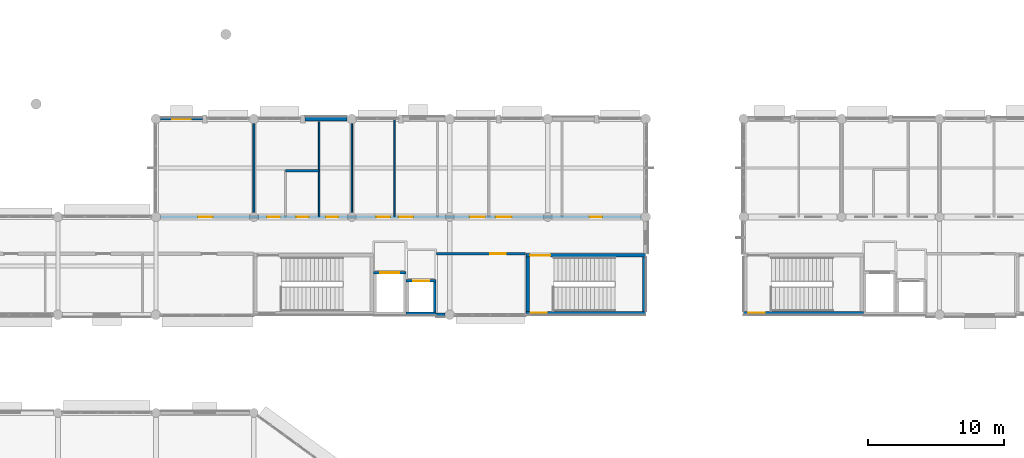
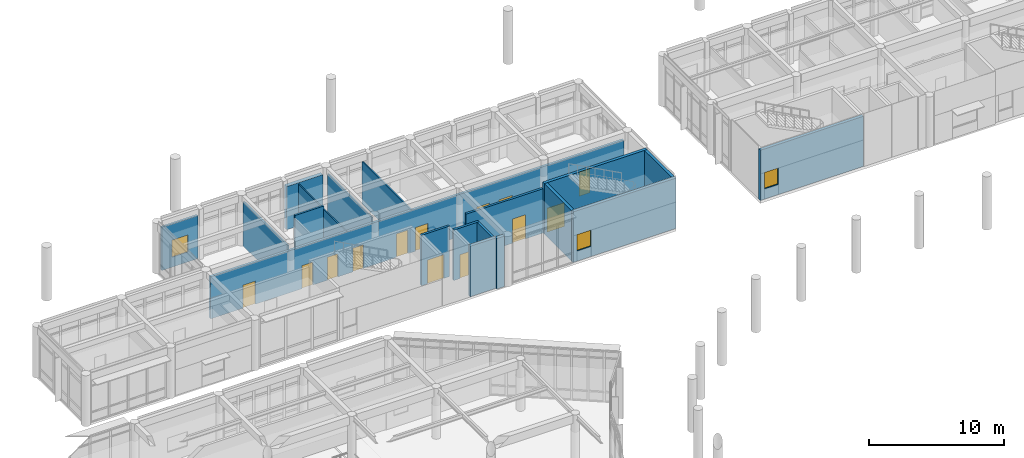
# One storey, part 50 of 92: 19 walls, 13 doors, 3 windows, 16 openings.
"""IFC4 building model written with IfcOpenShell, lengths in metres."""

import ifcopenshell
import ifcopenshell.guid

model = None  # the IFC model being written
_history = None  # IfcOwnerHistory: only IFC2X3 demands one
_inside = {}  # id of a spatial element -> (the spatial element, [elements in it])
_under = {}  # id of a project, library or spatial element -> (it, [spatial elements below it])
_declared = {}  # id of a project -> (the project, [libraries it declares])
_typed = {}  # id of a type object -> (the type object, [elements of that type])
_made_of = {}  # id of a material, layer set ... -> (it, [elements and type objects made of it])


def new_model(schema):
    """Start an empty IFC model of exactly this schema.

    Asked for "IFC4X3", IfcOpenShell would pick the latest addendum, in which some entities
    have other attributes; the version numbers below select the first issue.
    IFC2X3 requires an IfcOwnerHistory on every rooted entity: one is made here for all.
    """
    global model, _history
    if schema == "IFC4X3":
        model = ifcopenshell.file(schema_version=(4, 3, 0, 0))
    else:
        model = ifcopenshell.file(schema=schema)
    _inside.clear()
    _under.clear()
    _declared.clear()
    _typed.clear()
    _made_of.clear()
    _history = None
    if model.schema == "IFC2X3":
        org = make("IfcOrganization", Name="unknown")
        user = make(
            "IfcPersonAndOrganization",
            ThePerson=make("IfcPerson", FamilyName="unknown"),
            TheOrganization=org,
        )
        app = make(
            "IfcApplication",
            ApplicationDeveloper=org,
            Version="unknown",
            ApplicationFullName="unknown",
            ApplicationIdentifier="unknown",
        )
        _history = make(
            "IfcOwnerHistory",
            OwningUser=user,
            OwningApplication=app,
            ChangeAction="ADDED",
            CreationDate=0,
        )
    return model


def make(cls, **values):
    """One entity of the class cls with the attributes given. An attribute that is None is left unset."""
    return model.create_entity(
        cls, **{name: value for name, value in values.items() if value is not None}
    )


def rooted(cls, **values):
    """An entity with a GlobalId (a new one), such as an element, a storey or a relation."""
    return make(cls, GlobalId=ifcopenshell.guid.new(), OwnerHistory=_history, **values)


def si_unit(unit_type, name, prefix=None):
    """IfcSIUnit, for example si_unit("LENGTHUNIT", "METRE", prefix="MILLI")."""
    return make("IfcSIUnit", UnitType=unit_type, Prefix=prefix, Name=name)


def assignment(units):
    """IfcUnitAssignment: the units of a project."""
    return None if units is None else make("IfcUnitAssignment", Units=units)


def point(xyz):
    """IfcCartesianPoint."""
    return None if xyz is None else make("IfcCartesianPoint", Coordinates=xyz)


def direction(xyz):
    """IfcDirection."""
    return None if xyz is None else make("IfcDirection", DirectionRatios=xyz)


def frame(location, z_axis=None, x_axis=None):
    """IfcAxis2Placement3D, a coordinate frame: its origin and axes. An axis left out is left unset."""
    return make(
        "IfcAxis2Placement3D",
        Location=point(location),
        Axis=direction(z_axis),
        RefDirection=direction(x_axis),
    )


def frame_2d(location, x_axis=None):
    """IfcAxis2Placement2D, a coordinate frame in the plane: its origin and x axis."""
    return make(
        "IfcAxis2Placement2D", Location=point(location), RefDirection=direction(x_axis)
    )


def origin():
    """The frame at (0, 0, 0) with its axes left unset."""
    return frame((0.0, 0.0, 0.0))


def place(relative_to, where):
    """IfcLocalPlacement: puts the frame where relative to a parent placement (None: the world)."""
    return make(
        "IfcLocalPlacement", PlacementRelTo=relative_to, RelativePlacement=where
    )


def context(
    kind, dimensions, precision=None, world=None, true_north=None, identifier=None
):
    """IfcGeometricRepresentationContext, for example the 3D "Model" context."""
    return make(
        "IfcGeometricRepresentationContext",
        ContextIdentifier=identifier,
        ContextType=kind,
        CoordinateSpaceDimension=dimensions,
        Precision=precision,
        WorldCoordinateSystem=world,
        TrueNorth=true_north,
    )


def subcontext(parent, identifier, kind, view, scale=None):
    """IfcGeometricRepresentationSubContext, for example "Body" below "Model"."""
    return make(
        "IfcGeometricRepresentationSubContext",
        ContextIdentifier=identifier,
        ContextType=kind,
        ParentContext=parent,
        TargetScale=scale,
        TargetView=view,
    )


def project(units=None, contexts=None):
    """IfcProject with its units and contexts."""
    return rooted(
        "IfcProject",
        Name="project",
        RepresentationContexts=contexts,
        UnitsInContext=assignment(units),
    )


def spatial(cls, under=None, at=None, **own):
    """A site, building, storey or space (cls), placed at a placement, below another one or the project."""
    s = rooted(cls, ObjectPlacement=at, **own)
    if under is not None:
        _under.setdefault(under.id(), (under, []))[1].append(s)
    return s


def profile(cls, at=None, kind="AREA", **sizes):
    """A parametric profile (cls). Its sizes go by their IFC names, for example OverallWidth=200.0."""
    return make(cls, ProfileType=kind, Position=at, **sizes)


def rectangle(**sizes):
    """IfcRectangleProfileDef."""
    return profile("IfcRectangleProfileDef", **sizes)


def extrude(swept, where, along, depth):
    """IfcExtrudedAreaSolid: the profile swept, set in the frame where, extruded along a direction by depth."""
    return make(
        "IfcExtrudedAreaSolid",
        SweptArea=swept,
        Position=where,
        ExtrudedDirection=direction(along),
        Depth=depth,
    )


def shape(context_of_items, identifier, shape_type, items):
    """IfcShapeRepresentation: the items that make up one representation, for example the "Body"."""
    return make(
        "IfcShapeRepresentation",
        ContextOfItems=context_of_items,
        RepresentationIdentifier=identifier,
        RepresentationType=shape_type,
        Items=items,
    )


def material(Name=None, Category=None):
    """IfcMaterial."""
    return make("IfcMaterial", Name=Name, Category=Category)


def layer(
    of_material, thickness, ventilated=None, Name=None, Category=None, Priority=None
):
    """IfcMaterialLayer: one layer of a wall or slab, of a material (None: an air gap)."""
    return make(
        "IfcMaterialLayer",
        Material=of_material,
        LayerThickness=thickness,
        IsVentilated=ventilated,
        Name=Name,
        Category=Category,
        Priority=Priority,
    )


def layer_set(layers, Name=None):
    """IfcMaterialLayerSet."""
    return make("IfcMaterialLayerSet", MaterialLayers=layers, LayerSetName=Name)


def made_of(thing, what):
    """Note that an element or type object is made of a material, layer set ...; save() writes the relation."""
    if what is not None:
        _made_of.setdefault(what.id(), (what, []))[1].append(thing)
    return thing


def type_object(cls, material=None, **own):
    """A type object (cls), such as IfcWallType, which elements share."""
    return made_of(rooted(cls, **own), material)


def element(
    cls,
    number,
    at=None,
    inside=None,
    cuts=None,
    type_object=None,
    material=None,
    context=None,
    identifier="Body",
    shape_type=None,
    held_by="IfcProductDefinitionShape",
    body=None,
    shapes=None,
    **own,
):
    """One element of the class cls, such as IfcWall. Its Tag is "e" and its number.

    at: its placement. inside: the storey or other place that contains it. cuts: it is an
    opening in that element (IfcRelVoidsElement). A single representation is given by context,
    identifier, shape_type and body (its items); several are given by shapes. held_by: the class
    of the entity that holds the representations. save() writes the other relations.
    """
    e = rooted(cls, Tag="e%d" % number, ObjectPlacement=at, **own)
    if body is not None:
        shapes = [shape(context, identifier, shape_type, body)]
    if shapes is not None:
        e.Representation = make(held_by, Representations=shapes)
    if inside is not None:
        _inside.setdefault(inside.id(), (inside, []))[1].append(e)
    if cuts is not None:
        rooted(
            "IfcRelVoidsElement", RelatingBuildingElement=cuts, RelatedOpeningElement=e
        )
    if type_object is not None:
        _typed.setdefault(type_object.id(), (type_object, []))[1].append(e)
    return made_of(e, material)


def fill(opening, filler):
    """IfcRelFillsElement: the door or window that sits in an opening."""
    return rooted(
        "IfcRelFillsElement",
        RelatingOpeningElement=opening,
        RelatedBuildingElement=filler,
    )


def aggregate(whole, parts):
    """IfcRelAggregates: a whole, such as a stair, and the parts it consists of."""
    return rooted("IfcRelAggregates", RelatingObject=whole, RelatedObjects=parts)


def save(model, path):
    """Write the relations noted so far, then the file.

    IfcRelAggregates (storeys below a building ...), IfcRelContainedInSpatialStructure (elements
    in a storey), IfcRelDefinesByType, IfcRelAssociatesMaterial and IfcRelDeclares: one each for
    every whole, place, type object, material and project.
    """
    for whole, parts in _under.values():
        aggregate(whole, parts)
    for where, things in _inside.values():
        rooted(
            "IfcRelContainedInSpatialStructure",
            RelatedElements=things,
            RelatingStructure=where,
        )
    for kind, things in _typed.values():
        rooted("IfcRelDefinesByType", RelatedObjects=things, RelatingType=kind)
    for what, things in _made_of.values():
        rooted("IfcRelAssociatesMaterial", RelatedObjects=things, RelatingMaterial=what)
    for by, libraries in _declared.values():
        rooted("IfcRelDeclares", RelatingContext=by, RelatedDefinitions=libraries)
    model.write(path)


model = new_model("IFC4")

# Units and contexts
model_context = context("Model", 3, precision=1e-05, world=origin(), true_north=direction((0.0, 1.0)))
body_context = subcontext(model_context, "Body", "Model", "MODEL_VIEW")
ifc_project = project(units=[si_unit("LENGTHUNIT", "METRE"), si_unit("AREAUNIT", "SQUARE_METRE"), si_unit("VOLUMEUNIT", "CUBIC_METRE"), si_unit("PLANEANGLEUNIT", "RADIAN"), si_unit("MASSUNIT", "GRAM", prefix="KILO")], contexts=[model_context])

# Site, building, storey
site_placement = place(None, origin())
site = spatial("IfcSite", under=ifc_project, at=site_placement, CompositionType="ELEMENT")
building_placement = place(site_placement, origin())
building = spatial("IfcBuilding", under=site, at=building_placement, Name="Namkhue Oval Health Centre", CompositionType="ELEMENT")
storey_placement = place(building_placement, frame((0.0, 0.0, 4.800048828125)))
storey = spatial("IfcBuildingStorey", under=building, at=storey_placement, Name="L01", CompositionType="ELEMENT", Elevation=4.800048828125)

# Wall, opening, window
ifc_material_1 = material(Name="Autoclaved aerated concrete blockwork M7.5", Category="masonry")
ifc_layer_1 = layer(ifc_material_1, 0.179931640625)
ifc_layer_set_1 = layer_set([ifc_layer_1], Name="Autoclaved aerated concrete blockwork M7.5")
wall_type_1 = type_object("IfcWallType", Name="EXTERIOR ENVELOPE WALL 180", PredefinedType="STANDARD", material=ifc_layer_set_1)
wall_1_placement = place(storey_placement, frame((53.8291015625, 104.39990234375, 0.0), z_axis=(0.0, 0.0, 1.0), x_axis=(-1.0, 0.0, 0.0)))
wall_1 = element("IfcWall", 1, at=wall_1_placement, inside=storey, type_object=wall_type_1, Name="Volume V2 L01 Exterior Envelope Wall 33", PredefinedType="STANDARD", context=body_context, shape_type="SweptSolid", body=[
    extrude(rectangle(XDim=3.083984375, YDim=0.179931640625, at=frame_2d((1.5419921875, 0.0))), origin(), (0.0, 0.0, 1.0), 3.905029296875),
])
opening_1_placement = place(wall_1_placement, frame((0.866943359375, 0.0, 0.89990234375)))
opening_1 = element("IfcOpeningElement", 2, at=opening_1_placement, cuts=wall_1, Name="Opening WN-23", PredefinedType="OPENING", context=body_context, shape_type="SweptSolid", body=[
    extrude(rectangle(XDim=1.35009765625, YDim=1.5400390625, at=frame_2d((0.675048828125, 0.77001953125))), frame((0.0, 0.099853515625, 0.0), z_axis=(0.0, -1.0, 0.0), x_axis=(1.0, 0.0, 0.0)), (0.0, 0.0, 1.0), 0.199951171875),
])
ifc_material_2 = material(Name="Thermally broken low-E laminated double glazing", Category="glass")
window_type_1 = type_object("IfcWindowType", Name="EXTERIOR WINDOW 1350X1540", PartitioningType="SINGLE_PANEL", PredefinedType="WINDOW", material=ifc_material_2)
window_1_placement = place(opening_1_placement, origin())
window_1 = element("IfcWindow", 3, at=window_1_placement, inside=storey, type_object=window_type_1, Name="Volume V2 L01 Exterior Window 23", OverallHeight=1.5400390625, OverallWidth=1.35009765625, PartitioningType="SINGLE_PANEL", PredefinedType="WINDOW", context=body_context, shape_type="SweptSolid", body=[
    extrude(rectangle(XDim=1.35009765625, YDim=1.5400390625, at=frame_2d((0.675048828125, 0.77001953125))), frame((0.0, 0.030029296875, 0.0), z_axis=(0.0, -1.0, 0.0), x_axis=(1.0, 0.0, 0.0)), (0.0, 0.0, 1.0), 0.06005859375),
])
fill(opening_1, window_1)

# Walls
ifc_layer_2 = layer(ifc_material_1, 0.2900390625)
ifc_layer_set_2 = layer_set([ifc_layer_2], Name="Autoclaved aerated concrete blockwork M7.5")
wall_type_2 = type_object("IfcWallType", Name="EXTERIOR ENVELOPE WALL 290", PredefinedType="STANDARD", material=ifc_layer_set_2)
wall_2_placement = place(storey_placement, frame((71.001953125, 90.0, 0.0), z_axis=(0.0, 0.0, 1.0), x_axis=(1.0, 0.0, 0.0)))
element("IfcWall", 4, at=wall_2_placement, inside=storey, type_object=wall_type_2, Name="Volume V2 L01 Exterior Envelope Wall 28", PredefinedType="STANDARD", context=body_context, shape_type="SweptSolid", body=[
    extrude(rectangle(XDim=0.653076171875, YDim=0.2900390625, at=frame_2d((0.32666015625, 0.0))), origin(), (0.0, 0.0, 1.0), 4.554931640625),
])
ifc_layer_3 = layer(ifc_material_1, 0.330078125)
ifc_layer_set_3 = layer_set([ifc_layer_3], Name="Autoclaved aerated concrete blockwork M7.5")
wall_type_3 = type_object("IfcWallType", Name="EXTERIOR ENVELOPE WALL 330", PredefinedType="STANDARD", material=ifc_layer_set_3)
wall_3_placement = place(storey_placement, frame((64.455078125, 104.39990234375, 0.0), z_axis=(0.0, 0.0, 1.0), x_axis=(-1.0, 0.0, 0.0)))
element("IfcWall", 5, at=wall_3_placement, inside=storey, type_object=wall_type_3, Name="Volume V2 L01 Exterior Envelope Wall 32", PredefinedType="STANDARD", context=body_context, shape_type="SweptSolid", body=[
    extrude(rectangle(XDim=3.083984375, YDim=0.330078125, at=frame_2d((1.5419921875, 0.0))), origin(), (0.0, 0.0, 1.0), 3.905029296875),
])

# Wall, opening, door
ifc_material_3 = material(Name="Gypsum plasterboard acoustic partition", Category="gypsum")
ifc_layer_4 = layer(ifc_material_3, 0.195068359375)
ifc_layer_set_4 = layer_set([ifc_layer_4], Name="Gypsum plasterboard acoustic partition")
wall_type_4 = type_object("IfcWallType", Name="FIRE PARTITION WALL 195", PredefinedType="PARTITIONING", material=ifc_layer_set_4)
wall_4_placement = place(storey_placement, frame((71.02001953125, 94.5, 0.0), z_axis=(0.0, 0.0, 1.0), x_axis=(1.0, 0.0, 0.0)))
wall_4 = element("IfcWall", 6, at=wall_4_placement, inside=storey, type_object=wall_type_4, Name="Volume V2 L01 Clinical Partition Wall 59", PredefinedType="PARTITIONING", context=body_context, shape_type="SweptSolid", body=[
    extrude(rectangle(XDim=6.56005859375, YDim=0.195068359375, at=frame_2d((3.280029296875, 0.0))), origin(), (0.0, 0.0, 1.0), 4.0048828125),
])
opening_2_placement = place(wall_4_placement, frame((3.955078125, 0.0, 0.0)))
opening_2 = element("IfcOpeningElement", 7, at=opening_2_placement, cuts=wall_4, Name="Opening CD-17", PredefinedType="OPENING", context=body_context, shape_type="SweptSolid", body=[
    extrude(rectangle(XDim=1.1298828125, YDim=2.179931640625, at=frame_2d((0.56494140625, 1.08984375))), frame((0.0, 0.107421875, 0.0), z_axis=(0.0, -1.0, 0.0), x_axis=(1.0, 0.0, 0.0)), (0.0, 0.0, 1.0), 0.215087890625),
])
ifc_material_4 = material(Name="High-pressure laminate timber clinical door", Category="wood")
door_type_1 = type_object("IfcDoorType", Name="CLINICAL DOOR 1130X2180", OperationType="NOTDEFINED", PredefinedType="DOOR", material=ifc_material_4)
door_1_placement = place(opening_2_placement, frame((1.1298828125, 0.0, 0.0), z_axis=(0.0, 0.0, 1.0), x_axis=(-1.0, 0.0, 0.0)))
door_1 = element("IfcDoor", 8, at=door_1_placement, inside=storey, type_object=door_type_1, Name="Volume V2 L01 Adolescent Medicine Clinic Door 45", OperationType="SINGLE_SWING_LEFT", OverallHeight=2.179931640625, OverallWidth=1.1298828125, PredefinedType="DOOR", context=body_context, shape_type="SweptSolid", body=[
    extrude(rectangle(XDim=1.1298828125, YDim=2.179931640625, at=frame_2d((0.56494140625, 1.08984375))), frame((0.0, 0.02490234375, 0.0), z_axis=(0.0, -1.0, 0.0), x_axis=(1.0, 0.0, 0.0)), (0.0, 0.0, 1.0), 0.050048828125),
])
fill(opening_2, door_1)

# Wall, openings, doors
ifc_layer_5 = layer(ifc_material_3, 0.205078125)
ifc_layer_set_5 = layer_set([ifc_layer_5], Name="Gypsum plasterboard acoustic partition")
wall_type_5 = type_object("IfcWallType", Name="FIRE PARTITION WALL 205", PredefinedType="PARTITIONING", material=ifc_layer_set_5)
wall_5_placement = place(storey_placement, frame((50.75, 97.199951171875, 0.0), z_axis=(0.0, 0.0, 1.0), x_axis=(1.0, 0.0, 0.0)))
wall_5 = element("IfcWall", 9, at=wall_5_placement, inside=storey, type_object=wall_type_5, Name="Volume V2 L01 Clinical Partition Wall 46", PredefinedType="PARTITIONING", context=body_context, shape_type="SweptSolid", body=[
    extrude(rectangle(XDim=35.300048828125, YDim=0.205078125, at=frame_2d((17.64990234375, 0.0))), origin(), (0.0, 0.0, 1.0), 3.804931640625),
])
opening_3_placement = place(wall_5_placement, frame((2.762939453125, 0.0, 0.0)))
opening_3 = element("IfcOpeningElement", 10, at=opening_3_placement, cuts=wall_5, Name="Opening CD-05", PredefinedType="OPENING", context=body_context, shape_type="SweptSolid", body=[
    extrude(rectangle(XDim=1.06005859375, YDim=2.080078125, at=frame_2d((0.530029296875, 1.0400390625))), frame((0.0, 0.112548828125, 0.0), z_axis=(0.0, -1.0, 0.0), x_axis=(1.0, 0.0, 0.0)), (0.0, 0.0, 1.0), 0.22509765625),
])
opening_4_placement = place(wall_5_placement, frame((7.820068359375, 0.0, 0.0)))
opening_4 = element("IfcOpeningElement", 11, at=opening_4_placement, cuts=wall_5, Name="Opening CD-02", PredefinedType="OPENING", context=body_context, shape_type="SweptSolid", body=[
    extrude(rectangle(XDim=0.93994140625, YDim=2.080078125, at=frame_2d((0.469970703125, 1.0400390625))), frame((0.0, 0.112548828125, 0.0), z_axis=(0.0, -1.0, 0.0), x_axis=(1.0, 0.0, 0.0)), (0.0, 0.0, 1.0), 0.22509765625),
])
opening_5_placement = place(wall_5_placement, frame((9.969970703125, 0.0, 0.0)))
opening_5 = element("IfcOpeningElement", 12, at=opening_5_placement, cuts=wall_5, Name="Opening CD-01", PredefinedType="OPENING", context=body_context, shape_type="SweptSolid", body=[
    extrude(rectangle(XDim=0.89990234375, YDim=2.080078125, at=frame_2d((0.449951171875, 1.0400390625))), frame((0.0, 0.112548828125, 0.0), z_axis=(0.0, -1.0, 0.0), x_axis=(1.0, 0.0, 0.0)), (0.0, 0.0, 1.0), 0.22509765625),
])
opening_6_placement = place(wall_5_placement, frame((12.159912109375, 0.0, 0.0)))
opening_6 = element("IfcOpeningElement", 13, at=opening_6_placement, cuts=wall_5, Name="Opening CD-07", PredefinedType="OPENING", context=body_context, shape_type="SweptSolid", body=[
    extrude(rectangle(XDim=0.89990234375, YDim=2.1298828125, at=frame_2d((0.449951171875, 1.06494140625))), frame((0.0, 0.112548828125, 0.0), z_axis=(0.0, -1.0, 0.0), x_axis=(1.0, 0.0, 0.0)), (0.0, 0.0, 1.0), 0.22509765625),
])
opening_7_placement = place(wall_5_placement, frame((15.860107421875, 0.0, 0.0)))
opening_7 = element("IfcOpeningElement", 14, at=opening_7_placement, cuts=wall_5, Name="Opening CD-09", PredefinedType="OPENING", context=body_context, shape_type="SweptSolid", body=[
    extrude(rectangle(XDim=1.0, YDim=2.1298828125, at=frame_2d((0.5, 1.06494140625))), frame((0.0, 0.112548828125, 0.0), z_axis=(0.0, -1.0, 0.0), x_axis=(1.0, 0.0, 0.0)), (0.0, 0.0, 1.0), 0.22509765625),
])
opening_8_placement = place(wall_5_placement, frame((17.514892578125, 0.0, 0.0)))
opening_8 = element("IfcOpeningElement", 15, at=opening_8_placement, cuts=wall_5, Name="Opening CD-10", PredefinedType="OPENING", context=body_context, shape_type="SweptSolid", body=[
    extrude(rectangle(XDim=1.050048828125, YDim=2.1298828125, at=frame_2d((0.52490234375, 1.06494140625))), frame((0.0, 0.112548828125, 0.0), z_axis=(0.0, -1.0, 0.0), x_axis=(1.0, 0.0, 0.0)), (0.0, 0.0, 1.0), 0.22509765625),
])
opening_9_placement = place(wall_5_placement, frame((22.73291015625, 0.0, 0.0)))
opening_9 = element("IfcOpeningElement", 16, at=opening_9_placement, cuts=wall_5, Name="Opening CD-11", PredefinedType="OPENING", context=body_context, shape_type="SweptSolid", body=[
    extrude(rectangle(XDim=1.10009765625, YDim=2.1298828125, at=frame_2d((0.550048828125, 1.06494140625))), frame((0.0, 0.112548828125, 0.0), z_axis=(0.0, -1.0, 0.0), x_axis=(1.0, 0.0, 0.0)), (0.0, 0.0, 1.0), 0.22509765625),
])
opening_10_placement = place(wall_5_placement, frame((24.637939453125, 0.0, 0.0)))
opening_10 = element("IfcOpeningElement", 17, at=opening_10_placement, cuts=wall_5, Name="Opening CD-12", PredefinedType="OPENING", context=body_context, shape_type="SweptSolid", body=[
    extrude(rectangle(XDim=1.14990234375, YDim=2.1298828125, at=frame_2d((0.574951171875, 1.06494140625))), frame((0.0, 0.112548828125, 0.0), z_axis=(0.0, -1.0, 0.0), x_axis=(1.0, 0.0, 0.0)), (0.0, 0.0, 1.0), 0.22509765625),
])
opening_11_placement = place(wall_5_placement, frame((31.52099609375, 0.0, 0.0)))
opening_11 = element("IfcOpeningElement", 18, at=opening_11_placement, cuts=wall_5, Name="Opening CD-13", PredefinedType="OPENING", context=body_context, shape_type="SweptSolid", body=[
    extrude(rectangle(XDim=0.919921875, YDim=2.179931640625, at=frame_2d((0.4599609375, 1.08984375))), frame((0.0, 0.112548828125, 0.0), z_axis=(0.0, -1.0, 0.0), x_axis=(1.0, 0.0, 0.0)), (0.0, 0.0, 1.0), 0.22509765625),
])
door_type_2 = type_object("IfcDoorType", Name="CLINICAL DOOR 1000X2130", OperationType="NOTDEFINED", PredefinedType="DOOR", material=ifc_material_4)
door_2_placement = place(opening_7_placement, origin())
door_2 = element("IfcDoor", 19, at=door_2_placement, inside=storey, type_object=door_type_2, Name="Volume V2 L01 Medical Supply Store Door 37", OperationType="SINGLE_SWING_LEFT", OverallHeight=2.1298828125, OverallWidth=1.0, PredefinedType="DOOR", context=body_context, shape_type="SweptSolid", body=[
    extrude(rectangle(XDim=1.0, YDim=2.1298828125, at=frame_2d((0.5, 1.06494140625))), frame((0.0, 0.02490234375, 0.0), z_axis=(0.0, -1.0, 0.0), x_axis=(1.0, 0.0, 0.0)), (0.0, 0.0, 1.0), 0.050048828125),
])
fill(opening_7, door_2)
door_type_3 = type_object("IfcDoorType", Name="CLINICAL DOOR 1050X2130", OperationType="NOTDEFINED", PredefinedType="DOOR", material=ifc_material_4)
door_3_placement = place(opening_8_placement, origin())
door_3 = element("IfcDoor", 20, at=door_3_placement, inside=storey, type_object=door_type_3, Name="Volume V2 L01 Electrical Switchgear Plant Room Door 38", OperationType="SINGLE_SWING_RIGHT", OverallHeight=2.1298828125, OverallWidth=1.050048828125, PredefinedType="DOOR", context=body_context, shape_type="SweptSolid", body=[
    extrude(rectangle(XDim=1.050048828125, YDim=2.1298828125, at=frame_2d((0.52490234375, 1.06494140625))), frame((0.0, 0.02490234375, 0.0), z_axis=(0.0, -1.0, 0.0), x_axis=(1.0, 0.0, 0.0)), (0.0, 0.0, 1.0), 0.050048828125),
])
fill(opening_8, door_3)
door_type_4 = type_object("IfcDoorType", Name="CLINICAL DOOR 1060X2080", OperationType="NOTDEFINED", PredefinedType="DOOR", material=ifc_material_4)
door_4_placement = place(opening_3_placement, origin())
door_4 = element("IfcDoor", 21, at=door_4_placement, inside=storey, type_object=door_type_4, Name="Volume V2 L01 GP Consulting Room Door 33", OperationType="SINGLE_SWING_LEFT", OverallHeight=2.080078125, OverallWidth=1.06005859375, PredefinedType="DOOR", context=body_context, shape_type="SweptSolid", body=[
    extrude(rectangle(XDim=1.06005859375, YDim=2.080078125, at=frame_2d((0.530029296875, 1.0400390625))), frame((0.0, 0.02490234375, 0.0), z_axis=(0.0, -1.0, 0.0), x_axis=(1.0, 0.0, 0.0)), (0.0, 0.0, 1.0), 0.050048828125),
])
fill(opening_3, door_4)
door_type_5 = type_object("IfcDoorType", Name="CLINICAL DOOR 1100X2130", OperationType="NOTDEFINED", PredefinedType="DOOR", material=ifc_material_4)
door_5_placement = place(opening_9_placement, origin())
door_5 = element("IfcDoor", 22, at=door_5_placement, inside=storey, type_object=door_type_5, Name="Volume V2 L01 Internal Medicine Clinic Door 39", OperationType="SINGLE_SWING_LEFT", OverallHeight=2.1298828125, OverallWidth=1.10009765625, PredefinedType="DOOR", context=body_context, shape_type="SweptSolid", body=[
    extrude(rectangle(XDim=1.10009765625, YDim=2.1298828125, at=frame_2d((0.550048828125, 1.06494140625))), frame((0.0, 0.02490234375, 0.0), z_axis=(0.0, -1.0, 0.0), x_axis=(1.0, 0.0, 0.0)), (0.0, 0.0, 1.0), 0.050048828125),
])
fill(opening_9, door_5)
door_type_6 = type_object("IfcDoorType", Name="CLINICAL DOOR 1150X2130", OperationType="NOTDEFINED", PredefinedType="DOOR", material=ifc_material_4)
door_6_placement = place(opening_10_placement, origin())
door_6 = element("IfcDoor", 23, at=door_6_placement, inside=storey, type_object=door_type_6, Name="Volume V2 L01 Paediatric Assessment Suite Door 40", OperationType="SINGLE_SWING_RIGHT", OverallHeight=2.1298828125, OverallWidth=1.14990234375, PredefinedType="DOOR", context=body_context, shape_type="SweptSolid", body=[
    extrude(rectangle(XDim=1.14990234375, YDim=2.1298828125, at=frame_2d((0.574951171875, 1.06494140625))), frame((0.0, 0.02490234375, 0.0), z_axis=(0.0, -1.0, 0.0), x_axis=(1.0, 0.0, 0.0)), (0.0, 0.0, 1.0), 0.050048828125),
])
fill(opening_10, door_6)
door_type_7 = type_object("IfcDoorType", Name="CLINICAL DOOR 900X2080", OperationType="NOTDEFINED", PredefinedType="DOOR", material=ifc_material_4)
door_7_placement = place(opening_5_placement, origin())
door_7 = element("IfcDoor", 24, at=door_7_placement, inside=storey, type_object=door_type_7, Name="Volume V2 L01 Accessible WC Door 35", OperationType="SINGLE_SWING_LEFT", OverallHeight=2.080078125, OverallWidth=0.89990234375, PredefinedType="DOOR", context=body_context, shape_type="SweptSolid", body=[
    extrude(rectangle(XDim=0.89990234375, YDim=2.080078125, at=frame_2d((0.449951171875, 1.0400390625))), frame((0.0, 0.02490234375, 0.0), z_axis=(0.0, -1.0, 0.0), x_axis=(1.0, 0.0, 0.0)), (0.0, 0.0, 1.0), 0.050048828125),
])
fill(opening_5, door_7)
door_type_8 = type_object("IfcDoorType", Name="CLINICAL DOOR 900X2130", OperationType="NOTDEFINED", PredefinedType="DOOR", material=ifc_material_4)
door_8_placement = place(opening_6_placement, origin())
door_8 = element("IfcDoor", 25, at=door_8_placement, inside=storey, type_object=door_type_8, Name="Volume V2 L01 Staff Changing Washroom Door 36", OperationType="SINGLE_SWING_LEFT", OverallHeight=2.1298828125, OverallWidth=0.89990234375, PredefinedType="DOOR", context=body_context, shape_type="SweptSolid", body=[
    extrude(rectangle(XDim=0.89990234375, YDim=2.1298828125, at=frame_2d((0.449951171875, 1.06494140625))), frame((0.0, 0.02490234375, 0.0), z_axis=(0.0, -1.0, 0.0), x_axis=(1.0, 0.0, 0.0)), (0.0, 0.0, 1.0), 0.050048828125),
])
fill(opening_6, door_8)
door_type_9 = type_object("IfcDoorType", Name="CLINICAL DOOR 920X2180", OperationType="NOTDEFINED", PredefinedType="DOOR", material=ifc_material_4)
door_9_placement = place(opening_11_placement, origin())
door_9 = element("IfcDoor", 26, at=door_9_placement, inside=storey, type_object=door_type_9, Name="Volume V2 L01 Electrocardiogram Procedure Room Door 41", OperationType="SINGLE_SWING_LEFT", OverallHeight=2.179931640625, OverallWidth=0.919921875, PredefinedType="DOOR", context=body_context, shape_type="SweptSolid", body=[
    extrude(rectangle(XDim=0.919921875, YDim=2.179931640625, at=frame_2d((0.4599609375, 1.08984375))), frame((0.0, 0.02490234375, 0.0), z_axis=(0.0, -1.0, 0.0), x_axis=(1.0, 0.0, 0.0)), (0.0, 0.0, 1.0), 0.050048828125),
])
fill(opening_11, door_9)
door_type_10 = type_object("IfcDoorType", Name="CLINICAL DOOR 940X2080", OperationType="NOTDEFINED", PredefinedType="DOOR", material=ifc_material_4)
door_10_placement = place(opening_4_placement, origin())
door_10 = element("IfcDoor", 27, at=door_10_placement, inside=storey, type_object=door_type_10, Name="Volume V2 L01 Clean Clinical Utility Room Door 34", OperationType="SINGLE_SWING_RIGHT", OverallHeight=2.080078125, OverallWidth=0.93994140625, PredefinedType="DOOR", context=body_context, shape_type="SweptSolid", body=[
    extrude(rectangle(XDim=0.93994140625, YDim=2.080078125, at=frame_2d((0.469970703125, 1.0400390625))), frame((0.0, 0.02490234375, 0.0), z_axis=(0.0, -1.0, 0.0), x_axis=(1.0, 0.0, 0.0)), (0.0, 0.0, 1.0), 0.050048828125),
])
fill(opening_4, door_10)

# Walls
ifc_layer_6 = layer(ifc_material_3, 0.10009765625)
ifc_layer_set_6 = layer_set([ifc_layer_6], Name="Gypsum plasterboard acoustic partition")
wall_type_6 = type_object("IfcWallType", Name="INTERIOR PARTITION WALL 100", PredefinedType="PARTITIONING", material=ifc_layer_set_6)
wall_6_placement = place(storey_placement, frame((62.39990234375, 97.199951171875, 0.0), z_axis=(0.0, 0.0, 1.0), x_axis=(0.0, 1.0, 0.0)))
element("IfcWall", 28, at=wall_6_placement, inside=storey, type_object=wall_type_6, Name="Volume V2 L01 Clinical Partition Wall 50", PredefinedType="PARTITIONING", context=body_context, shape_type="SweptSolid", body=[
    extrude(rectangle(XDim=7.012939453125, YDim=0.10009765625, at=frame_2d((3.50634765625, 0.0))), origin(), (0.0, 0.0, 1.0), 3.804931640625),
])
ifc_layer_7 = layer(ifc_material_3, 0.110107421875)
ifc_layer_set_7 = layer_set([ifc_layer_7], Name="Gypsum plasterboard acoustic partition")
wall_type_7 = type_object("IfcWallType", Name="INTERIOR PARTITION WALL 110", PredefinedType="PARTITIONING", material=ifc_layer_set_7)
wall_7_placement = place(storey_placement, frame((64.800048828125, 97.52490234375, 0.0), z_axis=(0.0, 0.0, 1.0), x_axis=(0.0, 1.0, 0.0)))
element("IfcWall", 29, at=wall_7_placement, inside=storey, type_object=wall_type_7, Name="Volume V2 L01 Clinical Partition Wall 51", PredefinedType="PARTITIONING", context=body_context, shape_type="SweptSolid", body=[
    extrude(rectangle(XDim=6.525146484375, YDim=0.110107421875, at=frame_2d((3.2626953125, 0.0))), origin(), (0.0, 0.0, 1.0), 4.0048828125),
])
ifc_layer_8 = layer(ifc_material_3, 0.1201171875)
ifc_layer_set_8 = layer_set([ifc_layer_8], Name="Gypsum plasterboard acoustic partition")
wall_type_8 = type_object("IfcWallType", Name="INTERIOR PARTITION WALL 120", PredefinedType="PARTITIONING", material=ifc_layer_set_8)
wall_8_placement = place(storey_placement, frame((67.949951171875, 97.199951171875, 0.0), z_axis=(0.0, 0.0, 1.0), x_axis=(0.0, 1.0, 0.0)))
element("IfcWall", 30, at=wall_8_placement, inside=storey, type_object=wall_type_8, Name="Volume V2 L01 Clinical Partition Wall 52", PredefinedType="PARTITIONING", context=body_context, shape_type="SweptSolid", body=[
    extrude(rectangle(XDim=7.16015625, YDim=0.1201171875, at=frame_2d((3.580078125, 0.0))), origin(), (0.0, 0.0, 1.0), 3.804931640625),
])
ifc_layer_9 = layer(ifc_material_3, 0.139892578125)
ifc_layer_set_9 = layer_set([ifc_layer_9], Name="Gypsum plasterboard acoustic partition")
wall_type_9 = type_object("IfcWallType", Name="INTERIOR PARTITION WALL 140", PredefinedType="PARTITIONING", material=ifc_layer_set_9)
wall_9_placement = place(storey_placement, frame((57.60009765625, 97.52490234375, 0.0), z_axis=(0.0, 0.0, 1.0), x_axis=(0.0, 1.0, 0.0)))
element("IfcWall", 31, at=wall_9_placement, inside=storey, type_object=wall_type_9, Name="Volume V2 L01 Clinical Partition Wall 47", PredefinedType="PARTITIONING", context=body_context, shape_type="SweptSolid", body=[
    extrude(rectangle(XDim=6.525146484375, YDim=0.139892578125, at=frame_2d((3.2626953125, 0.0))), origin(), (0.0, 0.0, 1.0), 4.0048828125),
])
ifc_layer_10 = layer(ifc_material_3, 0.159912109375)
ifc_layer_set_10 = layer_set([ifc_layer_10], Name="Gypsum plasterboard acoustic partition")
wall_type_10 = type_object("IfcWallType", Name="INTERIOR PARTITION WALL 160", PredefinedType="PARTITIONING", material=ifc_layer_set_10)
wall_10_placement = place(storey_placement, frame((59.93994140625, 100.60009765625, 0.0), z_axis=(0.0, 0.0, 1.0), x_axis=(1.0, 0.0, 0.0)))
element("IfcWall", 32, at=wall_10_placement, inside=storey, type_object=wall_type_10, Name="Volume V2 L01 Clinical Partition Wall 49", PredefinedType="PARTITIONING", context=body_context, shape_type="SweptSolid", body=[
    extrude(rectangle(XDim=2.4599609375, YDim=0.159912109375, at=frame_2d((1.22998046875, 0.0))), origin(), (0.0, 0.0, 1.0), 4.054931640625),
])

# Wall, opening, window
ifc_material_5 = material(Name="Reinforced concrete C35/45 (TCVN B40)", Category="concrete")
ifc_layer_11 = layer(ifc_material_5, 0.25)
ifc_layer_set_11 = layer_set([ifc_layer_11], Name="Reinforced concrete C35/45 (TCVN B40)")
wall_type_11 = type_object("IfcWallType", Name="SHEAR CORE WALL EXT 250", PredefinedType="SHEAR", material=ifc_layer_set_11)
wall_11_placement = place(storey_placement, frame((77.60009765625, 90.125, 0.0), z_axis=(0.0, 0.0, 1.0), x_axis=(1.0, 0.0, 0.0)))
wall_11 = element("IfcWall", 33, at=wall_11_placement, inside=storey, type_object=wall_type_11, Name="Core SC-04 L01 Shear Wall S", PredefinedType="SHEAR", context=body_context, shape_type="SweptSolid", body=[
    extrude(rectangle(XDim=8.7998046875, YDim=0.25, at=frame_2d((4.39990234375, 0.0))), origin(), (0.0, 0.0, 1.0), 4.554931640625),
])
opening_12_placement = place(wall_11_placement, frame((0.35009765625, 0.0, 0.919921875)))
opening_12 = element("IfcOpeningElement", 34, at=opening_12_placement, cuts=wall_11, Name="Opening SWN-01", PredefinedType="OPENING", context=body_context, shape_type="SweptSolid", body=[
    extrude(rectangle(XDim=1.179931640625, YDim=1.47998046875, at=frame_2d((0.58984375, 0.739990234375))), frame((0.0, 0.135009765625, 0.0), z_axis=(0.0, -1.0, 0.0), x_axis=(1.0, 0.0, 0.0)), (0.0, 0.0, 1.0), 0.27001953125),
])
ifc_material_6 = material(Name="Fire-rated insulated safety double glazing", Category="glass")
window_type_2 = type_object("IfcWindowType", Name="EXTERIOR WINDOW STAIRWELL 1180X1480", PartitioningType="SINGLE_PANEL", PredefinedType="WINDOW", material=ifc_material_6)
window_2_placement = place(opening_12_placement, origin())
window_2 = element("IfcWindow", 35, at=window_2_placement, inside=storey, type_object=window_type_2, Name="Stair ST-04 L01 Stairwell Daylight Window", OverallHeight=1.47998046875, OverallWidth=1.179931640625, PartitioningType="SINGLE_PANEL", PredefinedType="WINDOW", context=body_context, shape_type="SweptSolid", body=[
    extrude(rectangle(XDim=1.179931640625, YDim=1.47998046875, at=frame_2d((0.58984375, 0.739990234375))), frame((0.0, 0.030029296875, 0.0), z_axis=(0.0, -1.0, 0.0), x_axis=(1.0, 0.0, 0.0)), (0.0, 0.0, 1.0), 0.06005859375),
])
fill(opening_12, window_2)

# Wall
wall_12_placement = place(storey_placement, frame((86.27490234375, 90.25, 0.0), z_axis=(0.0, 0.0, 1.0), x_axis=(0.0, 1.0, 0.0)))
element("IfcWall", 36, at=wall_12_placement, inside=storey, type_object=wall_type_11, Name="Core SC-04 L01 Shear Wall E", PredefinedType="SHEAR", context=body_context, shape_type="SweptSolid", body=[
    extrude(rectangle(XDim=4.0, YDim=0.25, at=frame_2d((2.0, 0.0))), origin(), (0.0, 0.0, 1.0), 4.554931640625),
])

# Wall, opening, window
wall_13_placement = place(storey_placement, frame((93.60009765625, 90.125, 0.0), z_axis=(0.0, 0.0, 1.0), x_axis=(1.0, 0.0, 0.0)))
wall_13 = element("IfcWall", 37, at=wall_13_placement, inside=storey, type_object=wall_type_11, Name="Core SC-05 L01 Shear Wall S", PredefinedType="SHEAR", context=body_context, shape_type="SweptSolid", body=[
    extrude(rectangle(XDim=8.7998046875, YDim=0.25, at=frame_2d((4.39990234375, 0.0))), origin(), (0.0, 0.0, 1.0), 4.530029296875),
])
opening_13_placement = place(wall_13_placement, frame((0.35009765625, 0.0, 0.919921875)))
opening_13 = element("IfcOpeningElement", 38, at=opening_13_placement, cuts=wall_13, Name="Opening SWN-01", PredefinedType="OPENING", context=body_context, shape_type="SweptSolid", body=[
    extrude(rectangle(XDim=1.179931640625, YDim=1.47998046875, at=frame_2d((0.58984375, 0.739990234375))), frame((0.0, 0.135009765625, 0.0), z_axis=(0.0, -1.0, 0.0), x_axis=(1.0, 0.0, 0.0)), (0.0, 0.0, 1.0), 0.27001953125),
])
window_3_placement = place(opening_13_placement, origin())
window_3 = element("IfcWindow", 39, at=window_3_placement, inside=storey, type_object=window_type_2, Name="Stair ST-05 L01 Stairwell Daylight Window", OverallHeight=1.47998046875, OverallWidth=1.179931640625, PartitioningType="SINGLE_PANEL", PredefinedType="WINDOW", context=body_context, shape_type="SweptSolid", body=[
    extrude(rectangle(XDim=1.179931640625, YDim=1.47998046875, at=frame_2d((0.58984375, 0.739990234375))), frame((0.0, 0.030029296875, 0.0), z_axis=(0.0, -1.0, 0.0), x_axis=(1.0, 0.0, 0.0)), (0.0, 0.0, 1.0), 0.06005859375),
])
fill(opening_13, window_3)

# Wall
wall_14_placement = place(storey_placement, frame((68.800048828125, 90.10009765625, 0.0), z_axis=(0.0, 0.0, 1.0), x_axis=(1.0, 0.0, 0.0)))
element("IfcWall", 40, at=wall_14_placement, inside=storey, type_object=wall_type_11, Name="Lift LF-02 L01 Shaft Wall S", PredefinedType="SHEAR", context=body_context, shape_type="SweptSolid", body=[
    extrude(rectangle(XDim=2.199951171875, YDim=0.25, at=frame_2d((1.10009765625, 0.0))), origin(), (0.0, 0.0, 1.0), 4.554931640625),
])

# Wall, opening, door
ifc_layer_12 = layer(ifc_material_5, 0.199951171875)
ifc_layer_set_12 = layer_set([ifc_layer_12], Name="Reinforced concrete C35/45 (TCVN B40)")
wall_type_12 = type_object("IfcWallType", Name="SHEAR CORE WALL INT 200", PredefinedType="SHEAR", material=ifc_layer_set_12)
wall_15_placement = place(storey_placement, frame((68.800048828125, 93.10009765625, 0.0), z_axis=(0.0, 0.0, 1.0), x_axis=(-1.0, 0.0, 0.0)))
wall_15 = element("IfcWall", 41, at=wall_15_placement, inside=storey, type_object=wall_type_12, Name="Lift LF-01 L01 Shaft Wall N", PredefinedType="SHEAR", context=body_context, shape_type="SweptSolid", body=[
    extrude(rectangle(XDim=2.400146484375, YDim=0.199951171875, at=frame_2d((1.2001953125, 0.0))), origin(), (0.0, 0.0, 1.0), 4.554931640625),
])
opening_14_placement = place(wall_15_placement, frame((0.5, 0.0, 0.0)))
opening_14 = element("IfcOpeningElement", 42, at=opening_14_placement, cuts=wall_15, Name="Opening LD-01", PredefinedType="OPENING", context=body_context, shape_type="SweptSolid", body=[
    extrude(rectangle(XDim=1.39990234375, YDim=2.14990234375, at=frame_2d((0.699951171875, 1.074951171875))), frame((0.0, 0.10986328125, 0.0), z_axis=(0.0, -1.0, 0.0), x_axis=(1.0, 0.0, 0.0)), (0.0, 0.0, 1.0), 0.219970703125),
])
ifc_material_7 = material(Name="Powder-coated steel fire door assembly", Category="steel")
door_type_11 = type_object("IfcDoorType", Name="LIFT LANDING DOOR STRETCHER 1400X2150", OperationType="DOUBLE_DOOR_SLIDING", PredefinedType="DOOR", material=ifc_material_7)
door_11_placement = place(opening_14_placement, frame((1.39990234375, 0.0, 0.0), z_axis=(0.0, 0.0, 1.0), x_axis=(-1.0, 0.0, 0.0)))
door_11 = element("IfcDoor", 43, at=door_11_placement, inside=storey, type_object=door_type_11, Name="Lift LF-01 L01 Sliding Landing Door", OperationType="DOUBLE_DOOR_SLIDING", OverallHeight=2.14990234375, OverallWidth=1.39990234375, PredefinedType="DOOR", context=body_context, shape_type="SweptSolid", body=[
    extrude(rectangle(XDim=1.39990234375, YDim=2.14990234375, at=frame_2d((0.699951171875, 1.074951171875))), frame((0.0, 0.02490234375, 0.0), z_axis=(0.0, -1.0, 0.0), x_axis=(1.0, 0.0, 0.0)), (0.0, 0.0, 1.0), 0.050048828125),
])
fill(opening_14, door_11)

# Wall
wall_16_placement = place(storey_placement, frame((70.89990234375, 90.199951171875, 0.0), z_axis=(0.0, 0.0, 1.0), x_axis=(0.0, 1.0, 0.0)))
element("IfcWall", 44, at=wall_16_placement, inside=storey, type_object=wall_type_12, Name="Lift LF-02 L01 Shaft Wall E", PredefinedType="SHEAR", context=body_context, shape_type="SweptSolid", body=[
    extrude(rectangle(XDim=2.199951171875, YDim=0.199951171875, at=frame_2d((1.10009765625, 0.0))), origin(), (0.0, 0.0, 1.0), 4.554931640625),
])

# Wall, opening, door
wall_17_placement = place(storey_placement, frame((71.0, 92.5, 0.0), z_axis=(0.0, 0.0, 1.0), x_axis=(-1.0, 0.0, 0.0)))
wall_17 = element("IfcWall", 45, at=wall_17_placement, inside=storey, type_object=wall_type_12, Name="Lift LF-02 L01 Shaft Wall N", PredefinedType="SHEAR", context=body_context, shape_type="SweptSolid", body=[
    extrude(rectangle(XDim=2.199951171875, YDim=0.199951171875, at=frame_2d((1.10009765625, 0.0))), origin(), (0.0, 0.0, 1.0), 4.554931640625),
])
opening_15_placement = place(wall_17_placement, frame((0.52490234375, 0.0, 0.0)))
opening_15 = element("IfcOpeningElement", 46, at=opening_15_placement, cuts=wall_17, Name="Opening LD-02", PredefinedType="OPENING", context=body_context, shape_type="SweptSolid", body=[
    extrude(rectangle(XDim=1.14990234375, YDim=2.14990234375, at=frame_2d((0.574951171875, 1.074951171875))), frame((0.0, 0.10986328125, 0.0), z_axis=(0.0, -1.0, 0.0), x_axis=(1.0, 0.0, 0.0)), (0.0, 0.0, 1.0), 0.219970703125),
])
door_type_12 = type_object("IfcDoorType", Name="LIFT LANDING DOOR PASSENGER 1150X2150", OperationType="DOUBLE_DOOR_SLIDING", PredefinedType="DOOR", material=ifc_material_7)
door_12_placement = place(opening_15_placement, frame((1.14990234375, 0.0, 0.0), z_axis=(0.0, 0.0, 1.0), x_axis=(-1.0, 0.0, 0.0)))
door_12 = element("IfcDoor", 47, at=door_12_placement, inside=storey, type_object=door_type_12, Name="Lift LF-02 L01 Sliding Landing Door", OperationType="DOUBLE_DOOR_SLIDING", OverallHeight=2.14990234375, OverallWidth=1.14990234375, PredefinedType="DOOR", context=body_context, shape_type="SweptSolid", body=[
    extrude(rectangle(XDim=1.14990234375, YDim=2.14990234375, at=frame_2d((0.574951171875, 1.074951171875))), frame((0.0, 0.02490234375, 0.0), z_axis=(0.0, -1.0, 0.0), x_axis=(1.0, 0.0, 0.0)), (0.0, 0.0, 1.0), 0.050048828125),
])
fill(opening_15, door_12)

ifc_layer_13 = layer(ifc_material_5, 0.25)
ifc_layer_set_13 = layer_set([ifc_layer_13], Name="Reinforced concrete C35/45 (TCVN B40)")
wall_type_13 = type_object("IfcWallType", Name="SHEAR CORE WALL INT 250", PredefinedType="SHEAR", material=ifc_layer_set_13)
wall_18_placement = place(storey_placement, frame((86.39990234375, 94.375, 0.0), z_axis=(0.0, 0.0, 1.0), x_axis=(-1.0, 0.0, 0.0)))
wall_18 = element("IfcWall", 48, at=wall_18_placement, inside=storey, type_object=wall_type_13, Name="Core SC-04 L01 Shear Wall N", PredefinedType="SHEAR", context=body_context, shape_type="SweptSolid", body=[
    extrude(rectangle(XDim=8.7998046875, YDim=0.25, at=frame_2d((4.39990234375, 0.0))), origin(), (0.0, 0.0, 1.0), 4.554931640625),
])
opening_16_placement = place(wall_18_placement, frame((7.0, 0.0, 0.0)))
opening_16 = element("IfcOpeningElement", 49, at=opening_16_placement, cuts=wall_18, Name="Opening SD-I1", PredefinedType="OPENING", context=body_context, shape_type="SweptSolid", body=[
    extrude(rectangle(XDim=1.5, YDim=2.14990234375, at=frame_2d((0.75, 1.074951171875))), frame((0.0, 0.135009765625, 0.0), z_axis=(0.0, -1.0, 0.0), x_axis=(1.0, 0.0, 0.0)), (0.0, 0.0, 1.0), 0.27001953125),
])
door_type_13 = type_object("IfcDoorType", Name="CLINICAL DOOR STAIR CORE 1500X2150", OperationType="DOUBLE_DOOR_SINGLE_SWING", PredefinedType="DOOR", material=ifc_material_7)
door_13_placement = place(opening_16_placement, origin())
door_13 = element("IfcDoor", 50, at=door_13_placement, inside=storey, type_object=door_type_13, Name="Stair ST-04 L01 Stair Enclosure Fire Door", OperationType="DOUBLE_DOOR_SINGLE_SWING", OverallHeight=2.14990234375, OverallWidth=1.5, PredefinedType="DOOR", context=body_context, shape_type="SweptSolid", body=[
    extrude(rectangle(XDim=1.5, YDim=2.14990234375, at=frame_2d((0.75, 1.074951171875))), frame((0.0, 0.02490234375, 0.0), z_axis=(0.0, -1.0, 0.0), x_axis=(1.0, 0.0, 0.0)), (0.0, 0.0, 1.0), 0.050048828125),
])
fill(opening_16, door_13)

# Wall
wall_19_placement = place(storey_placement, frame((77.72509765625, 94.25, 0.0), z_axis=(0.0, 0.0, 1.0), x_axis=(0.0, -1.0, 0.0)))
element("IfcWall", 51, at=wall_19_placement, inside=storey, type_object=wall_type_13, Name="Core SC-04 L01 Shear Wall W", PredefinedType="SHEAR", context=body_context, shape_type="SweptSolid", body=[
    extrude(rectangle(XDim=4.0, YDim=0.25, at=frame_2d((2.0, 0.0))), origin(), (0.0, 0.0, 1.0), 4.554931640625),
])

save(model, "model.ifc")
